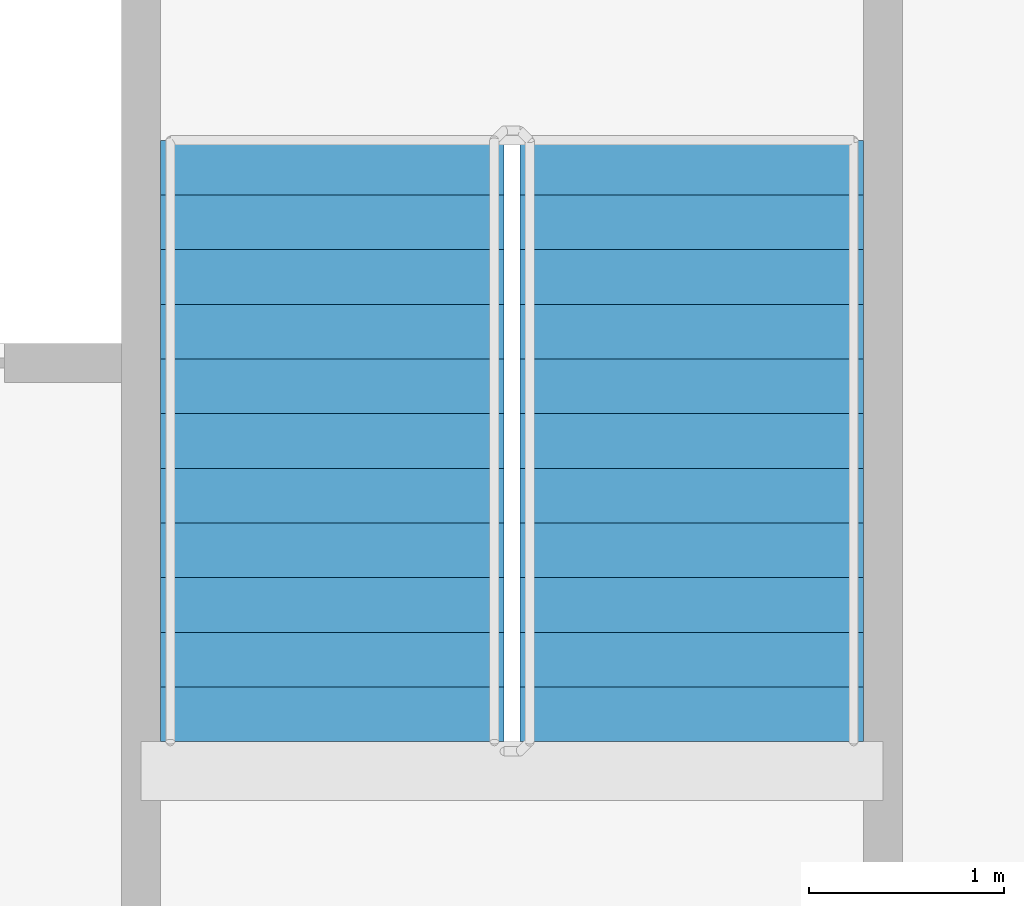
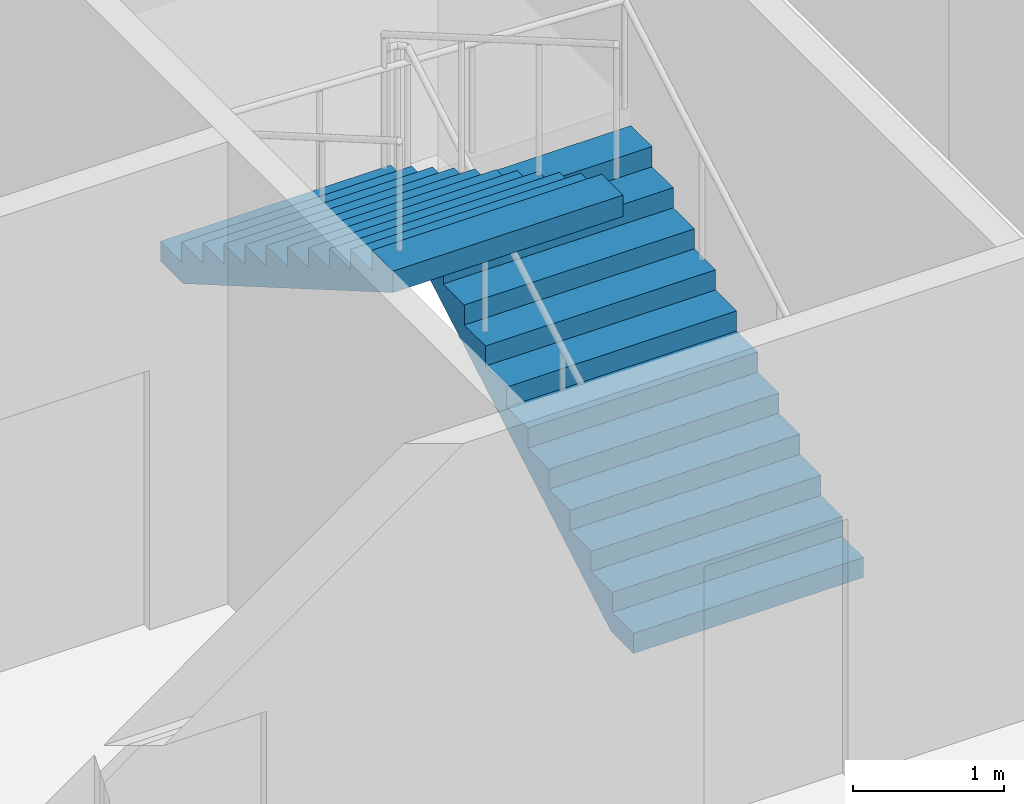
# One storey, part 17 of 23: 2 stair flights, 1 element without a shape of its own.
"""IFC4 building model written with IfcOpenShell, lengths in metres."""

from ifc_helpers import new_model, si_unit, direction, frame, origin, place, context, subcontext, project, spatial, faceted_brep, material, type_object, element, aggregate, save


model = new_model("IFC4")

# Units and contexts
model_context = context("Model", 3, precision=1e-05, world=origin(), true_north=direction((0.0, 1.0)))
body_context = subcontext(model_context, "Body", "Model", "MODEL_VIEW")
ifc_project = project(units=[si_unit("LENGTHUNIT", "METRE"), si_unit("AREAUNIT", "SQUARE_METRE"), si_unit("VOLUMEUNIT", "CUBIC_METRE"), si_unit("PLANEANGLEUNIT", "RADIAN"), si_unit("MASSUNIT", "GRAM", prefix="KILO")], contexts=[model_context])

# Site, building, storey
site_placement = place(None, origin())
site = spatial("IfcSite", under=ifc_project, at=site_placement, CompositionType="ELEMENT")
building_placement = place(site_placement, origin())
building = spatial("IfcBuilding", under=site, at=building_placement, Name="Tarsis Ring Headquarters", CompositionType="ELEMENT")
storey_placement = place(building_placement, frame((0.0, 0.0, 124.0)))
storey = spatial("IfcBuildingStorey", under=building, at=storey_placement, Name="L28", CompositionType="ELEMENT", Elevation=124.0)

# Stair, stair flights
ifc_material_1 = material(Name="Core stair 1760")
stair_type = type_object("IfcStairType", Name="Core stair 1760", PredefinedType="HALF_TURN_STAIR", material=ifc_material_1)
stair_placement = place(storey_placement, origin())
stair = element("IfcStair", 1, at=stair_placement, inside=storey, type_object=stair_type, Name="L28 Exit stair B", PredefinedType="HALF_TURN_STAIR")
ifc_material_2 = material(Name="Concrete C40/50", Category="concrete")
stair_flight_type = type_object("IfcStairFlightType", Name="Core stair flight 1760", PredefinedType="STRAIGHT", material=ifc_material_2)
stair_flight_1_placement = place(storey_placement, frame((5.419921875, 3.659912109375, 0.0), z_axis=(0.0, 0.0, 1.0), x_axis=(0.0, 1.0, 0.0)))
stair_flight_1 = element("IfcStairFlight", 2, at=stair_flight_1_placement, type_object=stair_flight_type, Name="Stair ST2 flight 1", NumberOfRisers=12, NumberOfTreads=11, PredefinedType="STRAIGHT", RiserHeight=0.1625, TreadLength=0.28, context=body_context, shape_type="Brep", body=[
    faceted_brep([(0.0, 0.8798828125, 0.0), (0.0, 0.8798828125, 0.16259765625), (0.280029296875, 0.8798828125, 0.16259765625), (0.280029296875, 0.8798828125, 0.324951171875), (0.56005859375, 0.8798828125, 0.324951171875), (0.56005859375, 0.8798828125, 0.487548828125), (0.840087890625, 0.8798828125, 0.487548828125), (0.840087890625, 0.8798828125, 0.64990234375), (1.1201171875, 0.8798828125, 0.64990234375), (1.1201171875, 0.8798828125, 0.8125), (1.39990234375, 0.8798828125, 0.8125), (1.39990234375, 0.8798828125, 0.97509765625), (1.679931640625, 0.8798828125, 0.97509765625), (1.679931640625, 0.8798828125, 1.137451171875), (1.9599609375, 0.8798828125, 1.137451171875), (1.9599609375, 0.8798828125, 1.300048828125), (2.239990234375, 0.8798828125, 1.300048828125), (2.239990234375, 0.8798828125, 1.46240234375), (2.52001953125, 0.8798828125, 1.46240234375), (2.52001953125, 0.8798828125, 1.625), (2.800048828125, 0.8798828125, 1.625), (2.800048828125, 0.8798828125, 1.78759765625), (3.080078125, 0.8798828125, 1.78759765625), (3.080078125, 0.8798828125, 1.6142578125), (0.298583984375, 0.8798828125, 0.0), (0.298583984375, -0.8798828125, 0.0), (3.080078125, -0.8798828125, 1.6142578125), (3.080078125, -0.8798828125, 1.78759765625), (2.800048828125, -0.8798828125, 1.78759765625), (2.800048828125, -0.8798828125, 1.625), (2.52001953125, -0.8798828125, 1.625), (2.52001953125, -0.8798828125, 1.46240234375), (2.239990234375, -0.8798828125, 1.46240234375), (2.239990234375, -0.8798828125, 1.300048828125), (1.9599609375, -0.8798828125, 1.300048828125), (1.9599609375, -0.8798828125, 1.137451171875), (1.679931640625, -0.8798828125, 1.137451171875), (1.679931640625, -0.8798828125, 0.97509765625), (1.39990234375, -0.8798828125, 0.97509765625), (1.39990234375, -0.8798828125, 0.8125), (1.1201171875, -0.8798828125, 0.8125), (1.1201171875, -0.8798828125, 0.64990234375), (0.840087890625, -0.8798828125, 0.64990234375), (0.840087890625, -0.8798828125, 0.487548828125), (0.56005859375, -0.8798828125, 0.487548828125), (0.56005859375, -0.8798828125, 0.324951171875), (0.280029296875, -0.8798828125, 0.324951171875), (0.280029296875, -0.8798828125, 0.16259765625), (0.0, -0.8798828125, 0.16259765625), (0.0, -0.8798828125, 0.0), (0.0, -0.43994140625, 0.16259765625), (0.0, -0.43994140625, 0.0), (0.0, 0.0, 0.16259765625), (0.0, 0.0, 0.0), (0.0, 0.43994140625, 0.16259765625), (0.0, 0.43994140625, 0.0), (0.280029296875, -0.43994140625, 0.16259765625), (0.280029296875, 0.0, 0.16259765625), (0.280029296875, 0.43994140625, 0.16259765625), (0.280029296875, -0.43994140625, 0.324951171875), (0.280029296875, 0.0, 0.324951171875), (0.280029296875, 0.43994140625, 0.324951171875), (0.56005859375, -0.43994140625, 0.324951171875), (0.56005859375, 0.0, 0.324951171875), (0.56005859375, 0.43994140625, 0.324951171875), (0.56005859375, -0.43994140625, 0.487548828125), (0.56005859375, 0.0, 0.487548828125), (0.56005859375, 0.43994140625, 0.487548828125), (0.840087890625, -0.43994140625, 0.487548828125), (0.840087890625, 0.0, 0.487548828125), (0.840087890625, 0.43994140625, 0.487548828125), (0.840087890625, -0.43994140625, 0.64990234375), (0.840087890625, 0.0, 0.64990234375), (0.840087890625, 0.43994140625, 0.64990234375), (1.1201171875, -0.43994140625, 0.64990234375), (1.1201171875, 0.0, 0.64990234375), (1.1201171875, 0.43994140625, 0.64990234375), (1.1201171875, -0.43994140625, 0.8125), (1.1201171875, 0.0, 0.8125), (1.1201171875, 0.43994140625, 0.8125), (1.39990234375, -0.43994140625, 0.8125), (1.39990234375, 0.0, 0.8125), (1.39990234375, 0.43994140625, 0.8125), (1.39990234375, -0.43994140625, 0.97509765625), (1.39990234375, 0.0, 0.97509765625), (1.39990234375, 0.43994140625, 0.97509765625), (1.679931640625, -0.43994140625, 0.97509765625), (1.679931640625, 0.0, 0.97509765625), (1.679931640625, 0.43994140625, 0.97509765625), (1.679931640625, -0.43994140625, 1.137451171875), (1.679931640625, 0.0, 1.137451171875), (1.679931640625, 0.43994140625, 1.137451171875), (1.9599609375, -0.43994140625, 1.137451171875), (1.9599609375, 0.0, 1.137451171875), (1.9599609375, 0.43994140625, 1.137451171875), (1.9599609375, -0.43994140625, 1.300048828125), (1.9599609375, 0.0, 1.300048828125), (1.9599609375, 0.43994140625, 1.300048828125), (2.239990234375, -0.43994140625, 1.300048828125), (2.239990234375, 0.0, 1.300048828125), (2.239990234375, 0.43994140625, 1.300048828125), (2.239990234375, -0.43994140625, 1.46240234375), (2.239990234375, 0.0, 1.46240234375), (2.239990234375, 0.43994140625, 1.46240234375), (2.52001953125, -0.43994140625, 1.46240234375), (2.52001953125, 0.0, 1.46240234375), (2.52001953125, 0.43994140625, 1.46240234375), (2.52001953125, -0.43994140625, 1.625), (2.52001953125, 0.0, 1.625), (2.52001953125, 0.43994140625, 1.625), (2.800048828125, -0.43994140625, 1.625), (2.800048828125, 0.0, 1.625), (2.800048828125, 0.43994140625, 1.625), (2.800048828125, -0.43994140625, 1.78759765625), (2.800048828125, 0.0, 1.78759765625), (2.800048828125, 0.43994140625, 1.78759765625), (3.080078125, -0.43994140625, 1.78759765625), (3.080078125, 0.0, 1.78759765625), (3.080078125, 0.43994140625, 1.78759765625), (3.080078125, -0.43994140625, 1.6142578125), (3.080078125, 0.0, 1.6142578125), (3.080078125, 0.43994140625, 1.6142578125), (0.298583984375, -0.43994140625, 0.0), (0.298583984375, 0.0, 0.0), (0.298583984375, 0.43994140625, 0.0)], [[[0, 1, 2, 3, 4, 5, 6, 7, 8, 9, 10, 11, 12, 13, 14, 15, 16, 17, 18, 19, 20, 21, 22, 23, 24]], [[25, 26, 27, 28, 29, 30, 31, 32, 33, 34, 35, 36, 37, 38, 39, 40, 41, 42, 43, 44, 45, 46, 47, 48, 49]], [[49, 48, 50, 51]], [[51, 50, 52, 53]], [[53, 52, 54, 55]], [[55, 54, 1, 0]], [[48, 47, 56, 50]], [[50, 56, 57, 52]], [[52, 57, 58, 54]], [[54, 58, 2, 1]], [[47, 46, 59, 56]], [[56, 59, 60, 57]], [[57, 60, 61, 58]], [[58, 61, 3, 2]], [[46, 45, 62, 59]], [[59, 62, 63, 60]], [[60, 63, 64, 61]], [[61, 64, 4, 3]], [[45, 44, 65, 62]], [[62, 65, 66, 63]], [[63, 66, 67, 64]], [[64, 67, 5, 4]], [[44, 43, 68, 65]], [[65, 68, 69, 66]], [[66, 69, 70, 67]], [[67, 70, 6, 5]], [[43, 42, 71, 68]], [[68, 71, 72, 69]], [[69, 72, 73, 70]], [[70, 73, 7, 6]], [[42, 41, 74, 71]], [[71, 74, 75, 72]], [[72, 75, 76, 73]], [[73, 76, 8, 7]], [[41, 40, 77, 74]], [[74, 77, 78, 75]], [[75, 78, 79, 76]], [[76, 79, 9, 8]], [[40, 39, 80, 77]], [[77, 80, 81, 78]], [[78, 81, 82, 79]], [[79, 82, 10, 9]], [[39, 38, 83, 80]], [[80, 83, 84, 81]], [[81, 84, 85, 82]], [[82, 85, 11, 10]], [[38, 37, 86, 83]], [[83, 86, 87, 84]], [[84, 87, 88, 85]], [[85, 88, 12, 11]], [[37, 36, 89, 86]], [[86, 89, 90, 87]], [[87, 90, 91, 88]], [[88, 91, 13, 12]], [[36, 35, 92, 89]], [[89, 92, 93, 90]], [[90, 93, 94, 91]], [[91, 94, 14, 13]], [[35, 34, 95, 92]], [[92, 95, 96, 93]], [[93, 96, 97, 94]], [[94, 97, 15, 14]], [[34, 33, 98, 95]], [[95, 98, 99, 96]], [[96, 99, 100, 97]], [[97, 100, 16, 15]], [[33, 32, 101, 98]], [[98, 101, 102, 99]], [[99, 102, 103, 100]], [[100, 103, 17, 16]], [[32, 31, 104, 101]], [[101, 104, 105, 102]], [[102, 105, 106, 103]], [[103, 106, 18, 17]], [[31, 30, 107, 104]], [[104, 107, 108, 105]], [[105, 108, 109, 106]], [[106, 109, 19, 18]], [[30, 29, 110, 107]], [[107, 110, 111, 108]], [[108, 111, 112, 109]], [[109, 112, 20, 19]], [[29, 28, 113, 110]], [[110, 113, 114, 111]], [[111, 114, 115, 112]], [[112, 115, 21, 20]], [[28, 27, 116, 113]], [[113, 116, 117, 114]], [[114, 117, 118, 115]], [[115, 118, 22, 21]], [[27, 26, 119, 116]], [[116, 119, 120, 117]], [[117, 120, 121, 118]], [[118, 121, 23, 22]], [[26, 25, 122, 119]], [[119, 122, 123, 120]], [[120, 123, 124, 121]], [[121, 124, 24, 23]], [[25, 49, 51, 122]], [[122, 51, 53, 123]], [[123, 53, 55, 124]], [[124, 55, 0, 24]]]),
])
stair_flight_2_placement = place(storey_placement, frame((3.580078125, 6.739990234375, 1.949951171875), z_axis=(0.0, 0.0, 1.0), x_axis=(0.0, -1.0, 0.0)))
stair_flight_2 = element("IfcStairFlight", 3, at=stair_flight_2_placement, type_object=stair_flight_type, Name="Stair ST2 flight 2", NumberOfRisers=12, NumberOfTreads=11, PredefinedType="STRAIGHT", RiserHeight=0.1625, TreadLength=0.28, context=body_context, shape_type="Brep", body=[
    faceted_brep([(0.0, 0.8798828125, 0.0), (0.0, 0.8798828125, 0.16259765625), (0.280029296875, 0.8798828125, 0.16259765625), (0.280029296875, 0.8798828125, 0.324951171875), (0.56005859375, 0.8798828125, 0.324951171875), (0.56005859375, 0.8798828125, 0.487548828125), (0.840087890625, 0.8798828125, 0.487548828125), (0.840087890625, 0.8798828125, 0.64990234375), (1.1201171875, 0.8798828125, 0.64990234375), (1.1201171875, 0.8798828125, 0.8125), (1.39990234375, 0.8798828125, 0.8125), (1.39990234375, 0.8798828125, 0.97509765625), (1.679931640625, 0.8798828125, 0.97509765625), (1.679931640625, 0.8798828125, 1.137451171875), (1.9599609375, 0.8798828125, 1.137451171875), (1.9599609375, 0.8798828125, 1.300048828125), (2.239990234375, 0.8798828125, 1.300048828125), (2.239990234375, 0.8798828125, 1.46240234375), (2.52001953125, 0.8798828125, 1.46240234375), (2.52001953125, 0.8798828125, 1.625), (2.800048828125, 0.8798828125, 1.625), (2.800048828125, 0.8798828125, 1.78759765625), (3.080078125, 0.8798828125, 1.78759765625), (3.080078125, 0.8798828125, 1.6142578125), (0.298583984375, 0.8798828125, 0.0), (0.298583984375, -0.8798828125, 0.0), (3.080078125, -0.8798828125, 1.6142578125), (3.080078125, -0.8798828125, 1.78759765625), (2.800048828125, -0.8798828125, 1.78759765625), (2.800048828125, -0.8798828125, 1.625), (2.52001953125, -0.8798828125, 1.625), (2.52001953125, -0.8798828125, 1.46240234375), (2.239990234375, -0.8798828125, 1.46240234375), (2.239990234375, -0.8798828125, 1.300048828125), (1.9599609375, -0.8798828125, 1.300048828125), (1.9599609375, -0.8798828125, 1.137451171875), (1.679931640625, -0.8798828125, 1.137451171875), (1.679931640625, -0.8798828125, 0.97509765625), (1.39990234375, -0.8798828125, 0.97509765625), (1.39990234375, -0.8798828125, 0.8125), (1.1201171875, -0.8798828125, 0.8125), (1.1201171875, -0.8798828125, 0.64990234375), (0.840087890625, -0.8798828125, 0.64990234375), (0.840087890625, -0.8798828125, 0.487548828125), (0.56005859375, -0.8798828125, 0.487548828125), (0.56005859375, -0.8798828125, 0.324951171875), (0.280029296875, -0.8798828125, 0.324951171875), (0.280029296875, -0.8798828125, 0.16259765625), (0.0, -0.8798828125, 0.16259765625), (0.0, -0.8798828125, 0.0), (0.0, -0.43994140625, 0.16259765625), (0.0, -0.43994140625, 0.0), (0.0, 0.0, 0.16259765625), (0.0, 0.0, 0.0), (0.0, 0.43994140625, 0.16259765625), (0.0, 0.43994140625, 0.0), (0.280029296875, -0.43994140625, 0.16259765625), (0.280029296875, 0.0, 0.16259765625), (0.280029296875, 0.43994140625, 0.16259765625), (0.280029296875, -0.43994140625, 0.324951171875), (0.280029296875, 0.0, 0.324951171875), (0.280029296875, 0.43994140625, 0.324951171875), (0.56005859375, -0.43994140625, 0.324951171875), (0.56005859375, 0.0, 0.324951171875), (0.56005859375, 0.43994140625, 0.324951171875), (0.56005859375, -0.43994140625, 0.487548828125), (0.56005859375, 0.0, 0.487548828125), (0.56005859375, 0.43994140625, 0.487548828125), (0.840087890625, -0.43994140625, 0.487548828125), (0.840087890625, 0.0, 0.487548828125), (0.840087890625, 0.43994140625, 0.487548828125), (0.840087890625, -0.43994140625, 0.64990234375), (0.840087890625, 0.0, 0.64990234375), (0.840087890625, 0.43994140625, 0.64990234375), (1.1201171875, -0.43994140625, 0.64990234375), (1.1201171875, 0.0, 0.64990234375), (1.1201171875, 0.43994140625, 0.64990234375), (1.1201171875, -0.43994140625, 0.8125), (1.1201171875, 0.0, 0.8125), (1.1201171875, 0.43994140625, 0.8125), (1.39990234375, -0.43994140625, 0.8125), (1.39990234375, 0.0, 0.8125), (1.39990234375, 0.43994140625, 0.8125), (1.39990234375, -0.43994140625, 0.97509765625), (1.39990234375, 0.0, 0.97509765625), (1.39990234375, 0.43994140625, 0.97509765625), (1.679931640625, -0.43994140625, 0.97509765625), (1.679931640625, 0.0, 0.97509765625), (1.679931640625, 0.43994140625, 0.97509765625), (1.679931640625, -0.43994140625, 1.137451171875), (1.679931640625, 0.0, 1.137451171875), (1.679931640625, 0.43994140625, 1.137451171875), (1.9599609375, -0.43994140625, 1.137451171875), (1.9599609375, 0.0, 1.137451171875), (1.9599609375, 0.43994140625, 1.137451171875), (1.9599609375, -0.43994140625, 1.300048828125), (1.9599609375, 0.0, 1.300048828125), (1.9599609375, 0.43994140625, 1.300048828125), (2.239990234375, -0.43994140625, 1.300048828125), (2.239990234375, 0.0, 1.300048828125), (2.239990234375, 0.43994140625, 1.300048828125), (2.239990234375, -0.43994140625, 1.46240234375), (2.239990234375, 0.0, 1.46240234375), (2.239990234375, 0.43994140625, 1.46240234375), (2.52001953125, -0.43994140625, 1.46240234375), (2.52001953125, 0.0, 1.46240234375), (2.52001953125, 0.43994140625, 1.46240234375), (2.52001953125, -0.43994140625, 1.625), (2.52001953125, 0.0, 1.625), (2.52001953125, 0.43994140625, 1.625), (2.800048828125, -0.43994140625, 1.625), (2.800048828125, 0.0, 1.625), (2.800048828125, 0.43994140625, 1.625), (2.800048828125, -0.43994140625, 1.78759765625), (2.800048828125, 0.0, 1.78759765625), (2.800048828125, 0.43994140625, 1.78759765625), (3.080078125, -0.43994140625, 1.78759765625), (3.080078125, 0.0, 1.78759765625), (3.080078125, 0.43994140625, 1.78759765625), (3.080078125, -0.43994140625, 1.6142578125), (3.080078125, 0.0, 1.6142578125), (3.080078125, 0.43994140625, 1.6142578125), (0.298583984375, -0.43994140625, 0.0), (0.298583984375, 0.0, 0.0), (0.298583984375, 0.43994140625, 0.0)], [[[0, 1, 2, 3, 4, 5, 6, 7, 8, 9, 10, 11, 12, 13, 14, 15, 16, 17, 18, 19, 20, 21, 22, 23, 24]], [[25, 26, 27, 28, 29, 30, 31, 32, 33, 34, 35, 36, 37, 38, 39, 40, 41, 42, 43, 44, 45, 46, 47, 48, 49]], [[49, 48, 50, 51]], [[51, 50, 52, 53]], [[53, 52, 54, 55]], [[55, 54, 1, 0]], [[48, 47, 56, 50]], [[50, 56, 57, 52]], [[52, 57, 58, 54]], [[54, 58, 2, 1]], [[47, 46, 59, 56]], [[56, 59, 60, 57]], [[57, 60, 61, 58]], [[58, 61, 3, 2]], [[46, 45, 62, 59]], [[59, 62, 63, 60]], [[60, 63, 64, 61]], [[61, 64, 4, 3]], [[45, 44, 65, 62]], [[62, 65, 66, 63]], [[63, 66, 67, 64]], [[64, 67, 5, 4]], [[44, 43, 68, 65]], [[65, 68, 69, 66]], [[66, 69, 70, 67]], [[67, 70, 6, 5]], [[43, 42, 71, 68]], [[68, 71, 72, 69]], [[69, 72, 73, 70]], [[70, 73, 7, 6]], [[42, 41, 74, 71]], [[71, 74, 75, 72]], [[72, 75, 76, 73]], [[73, 76, 8, 7]], [[41, 40, 77, 74]], [[74, 77, 78, 75]], [[75, 78, 79, 76]], [[76, 79, 9, 8]], [[40, 39, 80, 77]], [[77, 80, 81, 78]], [[78, 81, 82, 79]], [[79, 82, 10, 9]], [[39, 38, 83, 80]], [[80, 83, 84, 81]], [[81, 84, 85, 82]], [[82, 85, 11, 10]], [[38, 37, 86, 83]], [[83, 86, 87, 84]], [[84, 87, 88, 85]], [[85, 88, 12, 11]], [[37, 36, 89, 86]], [[86, 89, 90, 87]], [[87, 90, 91, 88]], [[88, 91, 13, 12]], [[36, 35, 92, 89]], [[89, 92, 93, 90]], [[90, 93, 94, 91]], [[91, 94, 14, 13]], [[35, 34, 95, 92]], [[92, 95, 96, 93]], [[93, 96, 97, 94]], [[94, 97, 15, 14]], [[34, 33, 98, 95]], [[95, 98, 99, 96]], [[96, 99, 100, 97]], [[97, 100, 16, 15]], [[33, 32, 101, 98]], [[98, 101, 102, 99]], [[99, 102, 103, 100]], [[100, 103, 17, 16]], [[32, 31, 104, 101]], [[101, 104, 105, 102]], [[102, 105, 106, 103]], [[103, 106, 18, 17]], [[31, 30, 107, 104]], [[104, 107, 108, 105]], [[105, 108, 109, 106]], [[106, 109, 19, 18]], [[30, 29, 110, 107]], [[107, 110, 111, 108]], [[108, 111, 112, 109]], [[109, 112, 20, 19]], [[29, 28, 113, 110]], [[110, 113, 114, 111]], [[111, 114, 115, 112]], [[112, 115, 21, 20]], [[28, 27, 116, 113]], [[113, 116, 117, 114]], [[114, 117, 118, 115]], [[115, 118, 22, 21]], [[27, 26, 119, 116]], [[116, 119, 120, 117]], [[117, 120, 121, 118]], [[118, 121, 23, 22]], [[26, 25, 122, 119]], [[119, 122, 123, 120]], [[120, 123, 124, 121]], [[121, 124, 24, 23]], [[25, 49, 51, 122]], [[122, 51, 53, 123]], [[123, 53, 55, 124]], [[124, 55, 0, 24]]]),
])
aggregate(stair, [stair_flight_1, stair_flight_2])

save(model, "model.ifc")
